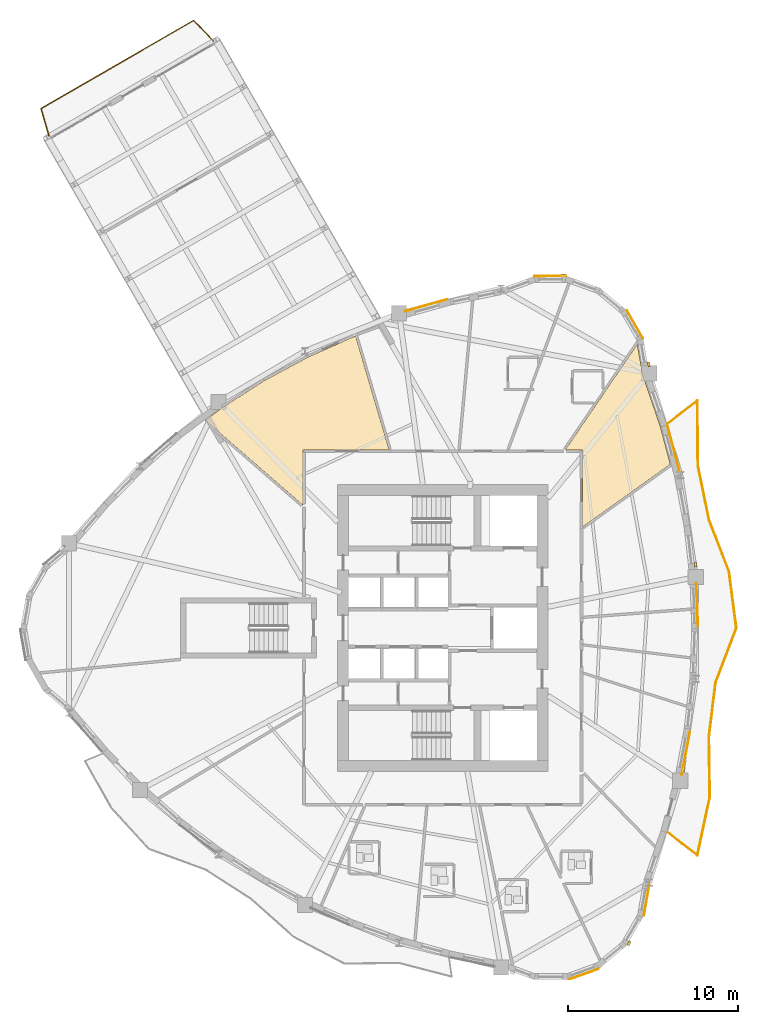
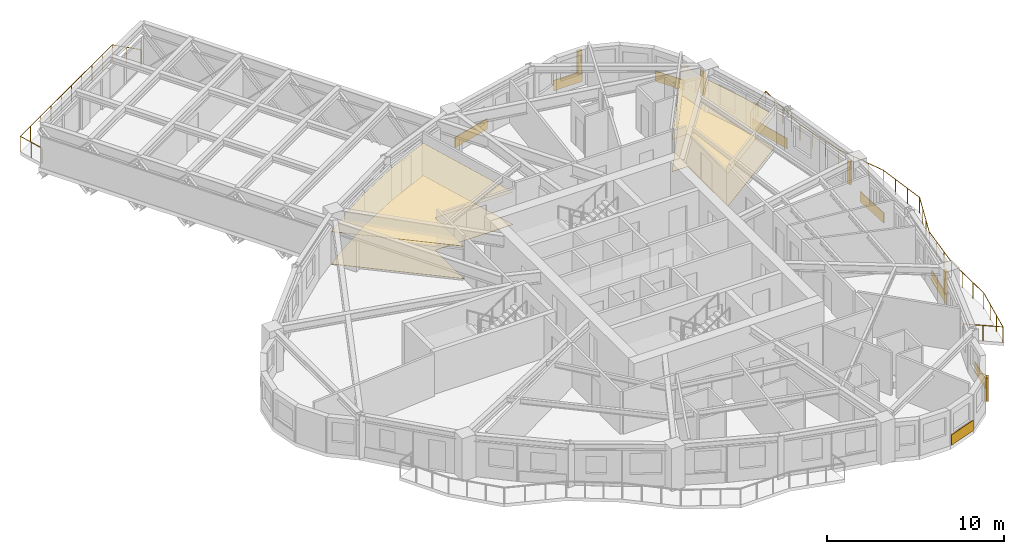
# One storey, part 13 of 14: 12 coverings, 5 shading devices, 2 railings.
"""IFC4 building model written with IfcOpenShell, lengths in metres."""

from ifc_helpers import new_model, si_unit, direction, frame, origin, origin_2d, place, context, subcontext, project, spatial, polyline, rectangle, circle, outline, extrude, source, transform, mapped, material, layer, layer_set, type_object, element, save


model = new_model("IFC4")

# Units and contexts
model_context = context("Model", 3, precision=1e-05, world=origin(), true_north=direction((0.0, 1.0)))
body_context = subcontext(model_context, "Body", "Model", "MODEL_VIEW")
ifc_project = project(units=[si_unit("LENGTHUNIT", "METRE"), si_unit("AREAUNIT", "SQUARE_METRE"), si_unit("VOLUMEUNIT", "CUBIC_METRE"), si_unit("PLANEANGLEUNIT", "RADIAN"), si_unit("MASSUNIT", "GRAM", prefix="KILO")], contexts=[model_context])

# Site, building, storey
site_placement = place(None, origin())
site = spatial("IfcSite", under=ifc_project, at=site_placement, CompositionType="ELEMENT")
building_placement = place(site_placement, origin())
building = spatial("IfcBuilding", under=site, at=building_placement, Name="Qafzar Sky-Pleat Residences", CompositionType="ELEMENT")
storey_placement = place(building_placement, frame((0.0, 0.0, 86.39990234375)))
storey = spatial("IfcBuildingStorey", under=building, at=storey_placement, Name="L25", CompositionType="ELEMENT", Elevation=86.39990234375)

# Coverings
ifc_material_1 = material(Name="Perforated acoustic gypsum board ceiling")
ifc_layer_1 = layer(ifc_material_1, 0.02001953125)
ifc_layer_set_1 = layer_set([ifc_layer_1], Name="Perforated acoustic gypsum board ceiling")
covering_type_1 = type_object("IfcCoveringType", Name="COV-CEIL-ACOUSTIC", PredefinedType="CEILING", material=ifc_layer_set_1)
covering_1_placement = place(storey_placement, frame((0.0, 0.0, 2.239990234375)))
element("IfcCovering", 1, at=covering_1_placement, inside=storey, type_object=covering_type_1, Name="L25 Communal Kitchen Acoustic Ceiling", PredefinedType="CEILING", context=body_context, shape_type="SweptSolid", body=[
    extrude(outline(polyline([(42.14404296875, 40.918701171875), (43.177001953125, 37.89892578125), (43.77392578125, 35.654296875), (38.590087890625, 31.95458984375), (38.590087890625, 36.489990234375), (37.567626953125, 36.489990234375), (41.822265625, 42.736083984375), (42.14404296875, 40.918701171875)])), origin(), (0.0, 0.0, 1.0), 0.02001953125),
])
covering_2_placement = place(storey_placement, frame((0.0, 0.0, 2.239990234375)))
element("IfcCovering", 2, at=covering_2_placement, inside=storey, type_object=covering_type_1, Name="L25 Co-Living Lounge Acoustic Ceiling", PredefinedType="CEILING", context=body_context, shape_type="SweptSolid", body=[
    extrude(outline(polyline([(17.360107421875, 38.9990234375), (19.8251953125, 40.581298828125), (22.4033203125, 41.971923828125), (25.0947265625, 43.17138671875), (25.21435546875, 43.214111328125), (27.196044921875, 36.489990234375), (22.110107421875, 36.489990234375), (22.110107421875, 33.23779296875), (16.352783203125, 38.2392578125), (17.360107421875, 38.9990234375)])), origin(), (0.0, 0.0, 1.0), 0.02001953125),
])
ifc_material_2 = material(Name="Honed porcelain and Riyadh stone tile flooring", Category="masonry")
ifc_layer_2 = layer(ifc_material_2, 0.02001953125)
ifc_layer_set_2 = layer_set([ifc_layer_2], Name="Honed porcelain and Riyadh stone tile flooring")
covering_type_2 = type_object("IfcCoveringType", Name="COV-FLR-PORCELAIN", PredefinedType="FLOORING", material=ifc_layer_set_2)
covering_3_placement = place(storey_placement, origin())
element("IfcCovering", 3, at=covering_3_placement, inside=storey, type_object=covering_type_2, Name="L25 Communal Kitchen Honed Stone Flooring", PredefinedType="FLOORING", context=body_context, shape_type="SweptSolid", body=[
    extrude(outline(polyline([(42.14404296875, 40.918701171875), (43.177001953125, 37.89892578125), (43.77392578125, 35.654296875), (38.590087890625, 31.95458984375), (38.590087890625, 36.489990234375), (37.567626953125, 36.489990234375), (41.822265625, 42.736083984375), (42.14404296875, 40.918701171875)])), origin(), (0.0, 0.0, 1.0), 0.02001953125),
])
covering_4_placement = place(storey_placement, origin())
element("IfcCovering", 4, at=covering_4_placement, inside=storey, type_object=covering_type_2, Name="L25 Co-Living Lounge Honed Stone Flooring", PredefinedType="FLOORING", context=body_context, shape_type="SweptSolid", body=[
    extrude(outline(polyline([(17.360107421875, 38.9990234375), (19.8251953125, 40.581298828125), (22.4033203125, 41.971923828125), (25.0947265625, 43.17138671875), (25.21435546875, 43.214111328125), (27.196044921875, 36.489990234375), (22.110107421875, 36.489990234375), (22.110107421875, 33.23779296875), (16.352783203125, 38.2392578125), (17.360107421875, 38.9990234375)])), origin(), (0.0, 0.0, 1.0), 0.02001953125),
])

# Shading devices
ifc_material_3 = material(Name="Honed Riyadh limestone solar fin", Category="masonry")
ifc_layer_3 = layer(ifc_material_3, 0.139892578125)
ifc_layer_set_3 = layer_set([ifc_layer_3], Name="Honed Riyadh limestone solar fin")
shading_device_type = type_object("IfcShadingDeviceType", Name="SHD-FIN-STONE", PredefinedType="SHUTTER", material=ifc_layer_set_3)
shared_shape_1 = source(origin(), body_context, "Body", "SweptSolid", [
    extrude(rectangle(XDim=0.139892578125, YDim=0.280029296875, at=origin_2d()), origin(), (0.0, 0.0, 1.0), 1.60009765625),
])
for number, where, z_axis, x_axis, name in (
    (5, (41.336669921875, 7.406982421875, 0.60009765625), (0.0, 0.0, 1.0), (0.864908020198, -0.501930390191, 0.0), "L25 Limestone Solar Fin 21"),
    (6, (44.553466796875, 17.66455078125, 0.60009765625), (0.0, 0.0, 1.0), (0.98242577116, -0.186653701171, 0.0), "L25 Limestone Solar Fin 25"),
    (7, (45.25341796875, 29.739501953125, 0.60009765625), (0.0, 0.0, 1.0), (0.993562170996, 0.11328818282, 0.0), "L25 Limestone Solar Fin 29"),
    (8, (42.505126953125, 41.5458984375, 0.60009765625), (0.0, 0.0, 1.0), (0.984674378282, 0.174402892049, 0.0), "L25 Limestone Solar Fin 33"),
    (9, (37.47314453125, 46.80029296875, 0.60009765625), (0.0, 0.0, 1.0), (-0.006821730637, 0.999976731725, 0.0), "L25 Limestone Solar Fin 37"),
):
    element("IfcShadingDevice", number, at=place(storey_placement, frame(where, z_axis=z_axis, x_axis=x_axis)), inside=storey, type_object=shading_device_type, Name=name, PredefinedType="SHUTTER", context=body_context, shape_type="MappedRepresentation", body=[
        mapped(shared_shape_1, transform((0.0, 0.0, 0.0), x_axis=(1.0, 0.0, 0.0), y_axis=(0.0, 1.0, 0.0), z_axis=(0.0, 0.0, 1.0), scale=1.0)),
    ])

# Coverings
ifc_material_4 = material(Name="Honed Riyadh Tuwaiq limestone cladding", Category="masonry")
ifc_layer_4 = layer(ifc_material_4, 0.044921875)
ifc_layer_set_4 = layer_set([ifc_layer_4], Name="Honed Riyadh Tuwaiq limestone cladding")
covering_type_3 = type_object("IfcCoveringType", Name="COV-CLAD-STONE", PredefinedType="CLADDING", material=ifc_layer_set_4)
shared_shape_2 = source(origin(), body_context, "Body", "SweptSolid", [
    extrude(rectangle(XDim=1.88916015625, YDim=0.044921875, at=origin_2d()), origin(), (0.0, 0.0, 1.0), 0.719970703125),
])
for number, where, z_axis, x_axis, name in (
    (10, (38.664794921875, 5.583251953125, 0.02001953125), (0.0, 0.0, 1.0), (0.9414678295, 0.3371028419, 0.0), "L25 Riyadh Limestone Spandrel Cladding 19"),
    (11, (41.69091796875, 43.896728515625, 0.02001953125), (0.0, 0.0, 1.0), (-0.501920570103, 0.864913718996, 0.0), "L25 Riyadh Limestone Spandrel Cladding 34"),
    (12, (36.693603515625, 46.751953125, 0.02001953125), (0.0, 0.0, 1.0), (-0.999976465978, -0.006860575119, 0.0), "L25 Riyadh Limestone Spandrel Cladding 37"),
):
    element("IfcCovering", number, at=place(storey_placement, frame(where, z_axis=z_axis, x_axis=x_axis)), inside=storey, type_object=covering_type_3, Name=name, PredefinedType="CLADDING", context=body_context, shape_type="MappedRepresentation", body=[
        mapped(shared_shape_2, transform((0.0, 0.0, 0.0), x_axis=(1.0, 0.0, 0.0), y_axis=(0.0, 1.0, 0.0), z_axis=(0.0, 0.0, 1.0), scale=1.0)),
    ])
shared_shape_3 = source(origin(), body_context, "Body", "SweptSolid", [
    extrude(rectangle(XDim=1.8369140625, YDim=0.044921875, at=origin_2d()), origin(), (0.0, 0.0, 1.0), 0.719970703125),
])
covering_5_placement = place(storey_placement, frame((42.372802734375, 9.95263671875, 0.02001953125), z_axis=(0.0, 0.0, 1.0), x_axis=(0.174386275202, 0.984677321269, 0.0)))
element("IfcCovering", 13, at=covering_5_placement, inside=storey, type_object=covering_type_3, Name="L25 Riyadh Limestone Spandrel Cladding 22", PredefinedType="CLADDING", context=body_context, shape_type="MappedRepresentation", body=[
    mapped(shared_shape_3, transform((0.0, 0.0, 0.0), x_axis=(1.0, 0.0, 0.0), y_axis=(0.0, 1.0, 0.0), z_axis=(0.0, 0.0, 1.0), scale=1.0)),
])

# Railing
ifc_material_5 = material(Name="Laminated glass and bronze steel balustrade", Category="steel")
railing_type = type_object("IfcRailingType", Name="RAIL-BAL-1100", PredefinedType="BALUSTRADE", material=ifc_material_5)
shared_shape_4 = source(origin(), body_context, "Body", "SweptSolid", [
    extrude(circle(Radius=0.02392578125, at=origin_2d()), frame((0.0, 0.0, 1.076171875), z_axis=(0.791483566765, -0.611190447848, 0.0), x_axis=(0.611190447848, 0.791483566765, 0.0)), (0.0, 0.0, 1.0), 2.27099609375),
    extrude(circle(Radius=0.02392578125, at=origin_2d()), frame((1.79736328125, -1.387939453125, 1.076171875), z_axis=(0.209050174089, 0.977904915988, 0.0), x_axis=(-0.977904915988, 0.209050174089, 0.0)), (0.0, 0.0, 1.0), 3.516357421875),
    extrude(circle(Radius=0.02392578125, at=origin_2d()), frame((2.532470703125, 2.05078125, 1.076171875), z_axis=(-0.014238304586, 0.999898630203, 0.0), x_axis=(-0.999898630203, -0.014238304586, 0.0)), (0.0, 0.0, 1.0), 3.56640625),
    extrude(circle(Radius=0.02392578125, at=origin_2d()), frame((2.481689453125, 5.616943359375, 1.076171875), z_axis=(0.122075961584, 0.992520760288, 0.0), x_axis=(-0.992520760288, 0.122075961584, 0.0)), (0.0, 0.0, 1.0), 3.221923828125),
    extrude(circle(Radius=0.02392578125, at=origin_2d()), frame((2.875, 8.814697265625, 1.076171875), z_axis=(0.356657561187, 0.934235186689, 0.0), x_axis=(-0.934235186689, 0.356657561187, 0.0)), (0.0, 0.0, 1.0), 3.43359375),
    extrude(circle(Radius=0.02392578125, at=origin_2d()), frame((4.099609375, 12.0224609375, 1.076171875), z_axis=(-0.129342278361, 0.991600007578, 0.0), x_axis=(-0.991600007578, -0.129342278361, 0.0)), (0.0, 0.0, 1.0), 3.373046875),
    extrude(circle(Radius=0.02392578125, at=origin_2d()), frame((3.663330078125, 15.3671875, 1.076171875), z_axis=(-0.360150582233, 0.932894183773, 0.0), x_axis=(-0.932894183773, -0.360150582233, 0.0)), (0.0, 0.0, 1.0), 3.281005859375),
    extrude(circle(Radius=0.02392578125, at=origin_2d()), frame((2.481689453125, 18.427978515625, 1.076171875), z_axis=(-0.200222309974, 0.979750492007, 0.0), x_axis=(-0.979750492007, -0.200222309974, 0.0)), (0.0, 0.0, 1.0), 3.245849609375),
    extrude(circle(Radius=0.02392578125, at=origin_2d()), frame((1.831787109375, 21.608154296875, 1.076171875), z_axis=(-0.009000018471, 0.999959499014, 0.0), x_axis=(-0.999959499014, -0.009000018471, 0.0)), (0.0, 0.0, 1.0), 3.824951171875),
    extrude(circle(Radius=0.02392578125, at=origin_2d()), frame((1.79736328125, 25.432861328125, 1.076171875), z_axis=(-0.791483566765, -0.611190447848, 0.0), x_axis=(0.611190447848, -0.791483566765, 0.0)), (0.0, 0.0, 1.0), 2.27099609375),
    extrude(circle(Radius=0.02099609375, at=origin_2d()), origin(), (0.0, 0.0, 1.0), 1.052001953125),
    extrude(circle(Radius=0.02099609375, at=origin_2d()), frame((0.898681640625, -0.69384765625, 0.0)), (0.0, 0.0, 1.0), 1.052001953125),
    extrude(circle(Radius=0.02099609375, at=origin_2d()), frame((1.79736328125, -1.387939453125, 0.0)), (0.0, 0.0, 1.0), 1.052001953125),
    extrude(circle(Radius=0.02099609375, at=origin_2d()), frame((2.04248046875, -0.24169921875, 0.0)), (0.0, 0.0, 1.0), 1.052001953125),
    extrude(circle(Radius=0.02099609375, at=origin_2d()), frame((2.287353515625, 0.904541015625, 0.0)), (0.0, 0.0, 1.0), 1.052001953125),
    extrude(circle(Radius=0.02099609375, at=origin_2d()), frame((2.532470703125, 2.05078125, 0.0)), (0.0, 0.0, 1.0), 1.052001953125),
    extrude(circle(Radius=0.02099609375, at=origin_2d()), frame((2.515625, 3.239501953125, 0.0)), (0.0, 0.0, 1.0), 1.052001953125),
    extrude(circle(Radius=0.02099609375, at=origin_2d()), frame((2.49853515625, 4.42822265625, 0.0)), (0.0, 0.0, 1.0), 1.052001953125),
    extrude(circle(Radius=0.02099609375, at=origin_2d()), frame((2.481689453125, 5.616943359375, 0.0)), (0.0, 0.0, 1.0), 1.052001953125),
    extrude(circle(Radius=0.02099609375, at=origin_2d()), frame((2.61279296875, 6.682861328125, 0.0)), (0.0, 0.0, 1.0), 1.052001953125),
    extrude(circle(Radius=0.02099609375, at=origin_2d()), frame((2.743896484375, 7.748779296875, 0.0)), (0.0, 0.0, 1.0), 1.052001953125),
    extrude(circle(Radius=0.02099609375, at=origin_2d()), frame((2.875, 8.814697265625, 0.0)), (0.0, 0.0, 1.0), 1.052001953125),
    extrude(circle(Radius=0.02099609375, at=origin_2d()), frame((3.283203125, 9.884033203125, 0.0)), (0.0, 0.0, 1.0), 1.052001953125),
    extrude(circle(Radius=0.02099609375, at=origin_2d()), frame((3.69140625, 10.953125, 0.0)), (0.0, 0.0, 1.0), 1.052001953125),
    extrude(circle(Radius=0.02099609375, at=origin_2d()), frame((4.099609375, 12.0224609375, 0.0)), (0.0, 0.0, 1.0), 1.052001953125),
    extrude(circle(Radius=0.02099609375, at=origin_2d()), frame((3.9541015625, 13.137451171875, 0.0)), (0.0, 0.0, 1.0), 1.052001953125),
    extrude(circle(Radius=0.02099609375, at=origin_2d()), frame((3.808837890625, 14.252197265625, 0.0)), (0.0, 0.0, 1.0), 1.052001953125),
    extrude(circle(Radius=0.02099609375, at=origin_2d()), frame((3.663330078125, 15.3671875, 0.0)), (0.0, 0.0, 1.0), 1.052001953125),
    extrude(circle(Radius=0.02099609375, at=origin_2d()), frame((3.26953125, 16.387451171875, 0.0)), (0.0, 0.0, 1.0), 1.052001953125),
    extrude(circle(Radius=0.02099609375, at=origin_2d()), frame((2.87548828125, 17.40771484375, 0.0)), (0.0, 0.0, 1.0), 1.052001953125),
    extrude(circle(Radius=0.02099609375, at=origin_2d()), frame((2.481689453125, 18.427978515625, 0.0)), (0.0, 0.0, 1.0), 1.052001953125),
    extrude(circle(Radius=0.02099609375, at=origin_2d()), frame((2.26513671875, 19.488037109375, 0.0)), (0.0, 0.0, 1.0), 1.052001953125),
    extrude(circle(Radius=0.02099609375, at=origin_2d()), frame((2.04833984375, 20.548095703125, 0.0)), (0.0, 0.0, 1.0), 1.052001953125),
    extrude(circle(Radius=0.02099609375, at=origin_2d()), frame((1.831787109375, 21.608154296875, 0.0)), (0.0, 0.0, 1.0), 1.052001953125),
    extrude(circle(Radius=0.02099609375, at=origin_2d()), frame((1.8232421875, 22.564453125, 0.0)), (0.0, 0.0, 1.0), 1.052001953125),
    extrude(circle(Radius=0.02099609375, at=origin_2d()), frame((1.814453125, 23.5205078125, 0.0)), (0.0, 0.0, 1.0), 1.052001953125),
    extrude(circle(Radius=0.02099609375, at=origin_2d()), frame((1.805908203125, 24.4765625, 0.0)), (0.0, 0.0, 1.0), 1.052001953125),
    extrude(circle(Radius=0.02099609375, at=origin_2d()), frame((1.79736328125, 25.432861328125, 0.0)), (0.0, 0.0, 1.0), 1.052001953125),
    extrude(circle(Radius=0.02099609375, at=origin_2d()), frame((0.898681640625, 24.73876953125, 0.0)), (0.0, 0.0, 1.0), 1.052001953125),
    extrude(circle(Radius=0.02099609375, at=origin_2d()), frame((0.0, 24.044921875, 0.0)), (0.0, 0.0, 1.0), 1.052001953125),
])
railing_1_placement = place(storey_placement, frame((43.5693359375, 13.9775390625, 0.0)))
element("IfcRailing", 14, at=railing_1_placement, inside=storey, type_object=railing_type, Name="L25 Pleated Balcony 1 Balustrade", PredefinedType="BALUSTRADE", context=body_context, shape_type="MappedRepresentation", body=[
    mapped(shared_shape_4, transform((0.0, 0.0, 0.0), x_axis=(1.0, 0.0, 0.0), y_axis=(0.0, 1.0, 0.0), z_axis=(0.0, 0.0, 1.0), scale=1.0)),
])

# Coverings
shared_shape_5 = source(origin(), body_context, "Body", "SweptSolid", [
    extrude(rectangle(XDim=2.58349609375, YDim=0.044921875, at=origin_2d()), origin(), (0.0, 0.0, 1.0), 0.719970703125),
])
covering_6_placement = place(storey_placement, frame((44.690185546875, 18.615478515625, 0.02001953125), z_axis=(0.0, 0.0, 1.0), x_axis=(0.186654257491, 0.982425665463, 0.0)))
element("IfcCovering", 15, at=covering_6_placement, inside=storey, type_object=covering_type_3, Name="L25 Riyadh Limestone Spandrel Cladding 25", PredefinedType="CLADDING", context=body_context, shape_type="MappedRepresentation", body=[
    mapped(shared_shape_5, transform((0.0, 0.0, 0.0), x_axis=(1.0, 0.0, 0.0), y_axis=(0.0, 1.0, 0.0), z_axis=(0.0, 0.0, 1.0), scale=1.0)),
])
shared_shape_6 = source(origin(), body_context, "Body", "SweptSolid", [
    extrude(rectangle(XDim=2.537109375, YDim=0.044921875, at=origin_2d()), origin(), (0.0, 0.0, 1.0), 0.719970703125),
])
covering_7_placement = place(storey_placement, frame((45.356201171875, 27.371337890625, 0.02001953125), z_axis=(0.0, 0.0, 1.0), x_axis=(-0.037957645044, 0.999279348922, 0.0)))
element("IfcCovering", 16, at=covering_7_placement, inside=storey, type_object=covering_type_3, Name="L25 Riyadh Limestone Spandrel Cladding 28", PredefinedType="CLADDING", context=body_context, shape_type="MappedRepresentation", body=[
    mapped(shared_shape_6, transform((0.0, 0.0, 0.0), x_axis=(1.0, 0.0, 0.0), y_axis=(0.0, 1.0, 0.0), z_axis=(0.0, 0.0, 1.0), scale=1.0)),
])
shared_shape_7 = source(origin(), body_context, "Body", "SweptSolid", [
    extrude(rectangle(XDim=2.813720703125, YDim=0.044921875, at=origin_2d()), origin(), (0.0, 0.0, 1.0), 0.719970703125),
])
covering_8_placement = place(storey_placement, frame((43.97314453125, 36.546875, 0.02001953125), z_axis=(0.0, 0.0, 1.0), x_axis=(-0.257049399453, 0.966398264817, 0.0)))
element("IfcCovering", 17, at=covering_8_placement, inside=storey, type_object=covering_type_3, Name="L25 Riyadh Limestone Spandrel Cladding 31", PredefinedType="CLADDING", context=body_context, shape_type="MappedRepresentation", body=[
    mapped(shared_shape_7, transform((0.0, 0.0, 0.0), x_axis=(1.0, 0.0, 0.0), y_axis=(0.0, 1.0, 0.0), z_axis=(0.0, 0.0, 1.0), scale=1.0)),
])
shared_shape_8 = source(origin(), body_context, "Body", "SweptSolid", [
    extrude(rectangle(XDim=2.5859375, YDim=0.044921875, at=origin_2d()), origin(), (0.0, 0.0, 1.0), 0.719970703125),
])
covering_9_placement = place(storey_placement, frame((29.372802734375, 45.029296875, 0.02001953125), z_axis=(0.0, 0.0, 1.0), x_axis=(-0.96305324823, -0.269311048927, 0.0)))
element("IfcCovering", 18, at=covering_9_placement, inside=storey, type_object=covering_type_3, Name="L25 Riyadh Limestone Spandrel Cladding 40", PredefinedType="CLADDING", context=body_context, shape_type="MappedRepresentation", body=[
    mapped(shared_shape_8, transform((0.0, 0.0, 0.0), x_axis=(1.0, 0.0, 0.0), y_axis=(0.0, 1.0, 0.0), z_axis=(0.0, 0.0, 1.0), scale=1.0)),
])

# Railing
shared_shape_9 = source(origin(), body_context, "Body", "SweptSolid", [
    extrude(circle(Radius=0.02392578125, at=origin_2d()), frame((0.0, 0.0, 1.076171875), z_axis=(-0.691565058833, 0.722314176381, 0.0), x_axis=(-0.722314176381, -0.691565058833, 0.0)), (0.0, 0.0, 1.0), 1.683349609375),
    extrude(circle(Radius=0.02392578125, at=origin_2d()), frame((-1.1640625, 1.2158203125, 1.076171875), z_axis=(-0.866025696342, -0.499999493275, 0.0), x_axis=(0.499999493275, -0.866025696342, 0.0)), (0.0, 0.0, 1.0), 10.39990234375),
    extrude(circle(Radius=0.02392578125, at=origin_2d()), frame((-10.170654296875, -3.984130859375, 1.076171875), z_axis=(0.279793912061, -0.960060084981, 0.0), x_axis=(0.960060084981, 0.279793912061, 0.0)), (0.0, 0.0, 1.0), 1.68310546875),
    extrude(circle(Radius=0.02099609375, at=origin_2d()), origin(), (0.0, 0.0, 1.0), 1.052001953125),
    extrude(circle(Radius=0.02099609375, at=origin_2d()), frame((-0.58203125, 0.60791015625, 0.0)), (0.0, 0.0, 1.0), 1.052001953125),
    extrude(circle(Radius=0.02099609375, at=origin_2d()), frame((-1.1640625, 1.2158203125, 0.0)), (0.0, 0.0, 1.0), 1.052001953125),
    extrude(circle(Radius=0.02099609375, at=origin_2d()), frame((-2.164794921875, 0.637939453125, 0.0)), (0.0, 0.0, 1.0), 1.052001953125),
    extrude(circle(Radius=0.02099609375, at=origin_2d()), frame((-3.16552734375, 0.060302734375, 0.0)), (0.0, 0.0, 1.0), 1.052001953125),
    extrude(circle(Radius=0.02099609375, at=origin_2d()), frame((-4.166259765625, -0.517578125, 0.0)), (0.0, 0.0, 1.0), 1.052001953125),
    extrude(circle(Radius=0.02099609375, at=origin_2d()), frame((-5.1669921875, -1.09521484375, 0.0)), (0.0, 0.0, 1.0), 1.052001953125),
    extrude(circle(Radius=0.02099609375, at=origin_2d()), frame((-6.167724609375, -1.673095703125, 0.0)), (0.0, 0.0, 1.0), 1.052001953125),
    extrude(circle(Radius=0.02099609375, at=origin_2d()), frame((-7.16845703125, -2.250732421875, 0.0)), (0.0, 0.0, 1.0), 1.052001953125),
    extrude(circle(Radius=0.02099609375, at=origin_2d()), frame((-8.169189453125, -2.82861328125, 0.0)), (0.0, 0.0, 1.0), 1.052001953125),
    extrude(circle(Radius=0.02099609375, at=origin_2d()), frame((-9.169921875, -3.40625, 0.0)), (0.0, 0.0, 1.0), 1.052001953125),
    extrude(circle(Radius=0.02099609375, at=origin_2d()), frame((-10.170654296875, -3.984130859375, 0.0)), (0.0, 0.0, 1.0), 1.052001953125),
    extrude(circle(Radius=0.02099609375, at=origin_2d()), frame((-9.93505859375, -4.7919921875, 0.0)), (0.0, 0.0, 1.0), 1.052001953125),
    extrude(circle(Radius=0.02099609375, at=origin_2d()), frame((-9.69970703125, -5.60009765625, 0.0)), (0.0, 0.0, 1.0), 1.052001953125),
])
railing_2_placement = place(storey_placement, frame((16.830810546875, 60.6162109375, 0.0)))
element("IfcRailing", 19, at=railing_2_placement, inside=storey, type_object=railing_type, Name="L25 SB-2 Tip Observation Balcony Balustrade", PredefinedType="BALUSTRADE", context=body_context, shape_type="MappedRepresentation", body=[
    mapped(shared_shape_9, transform((0.0, 0.0, 0.0), x_axis=(1.0, 0.0, 0.0), y_axis=(0.0, 1.0, 0.0), z_axis=(0.0, 0.0, 1.0), scale=1.0)),
])

save(model, "model.ifc")
